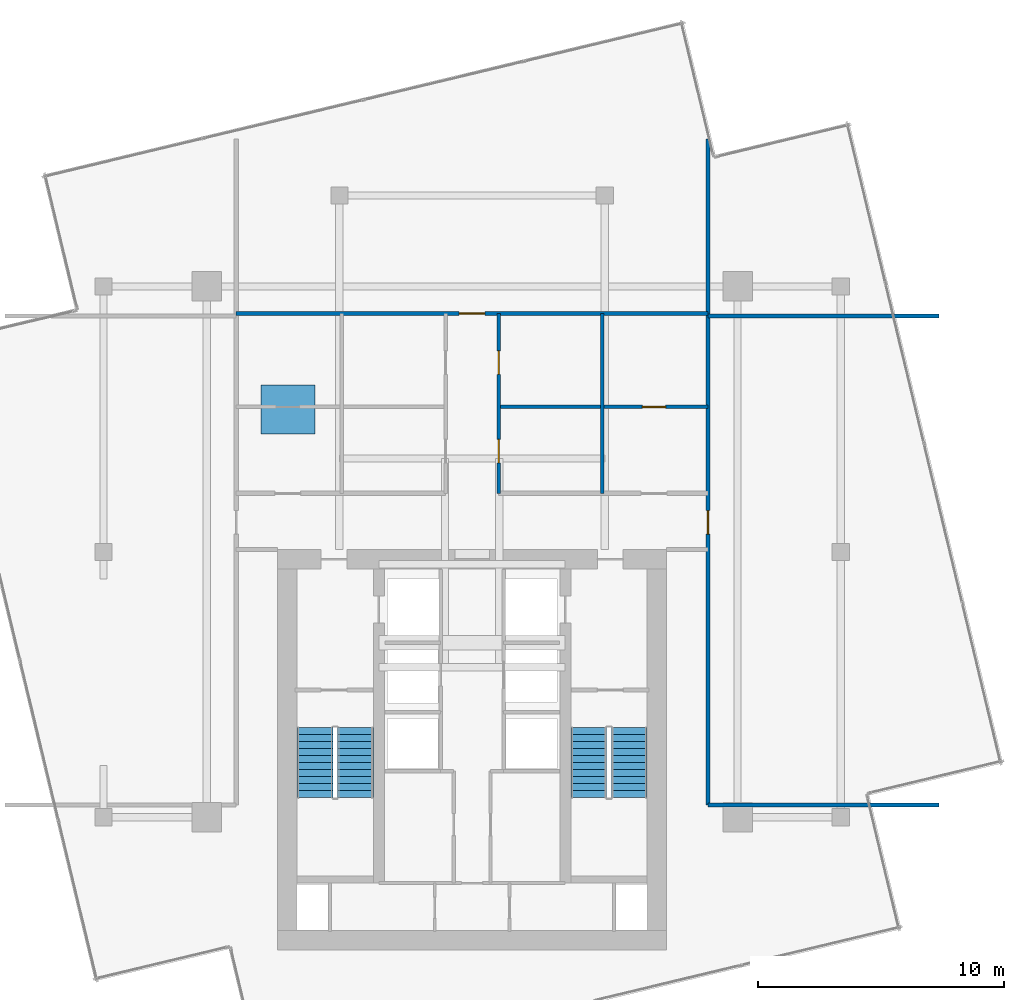
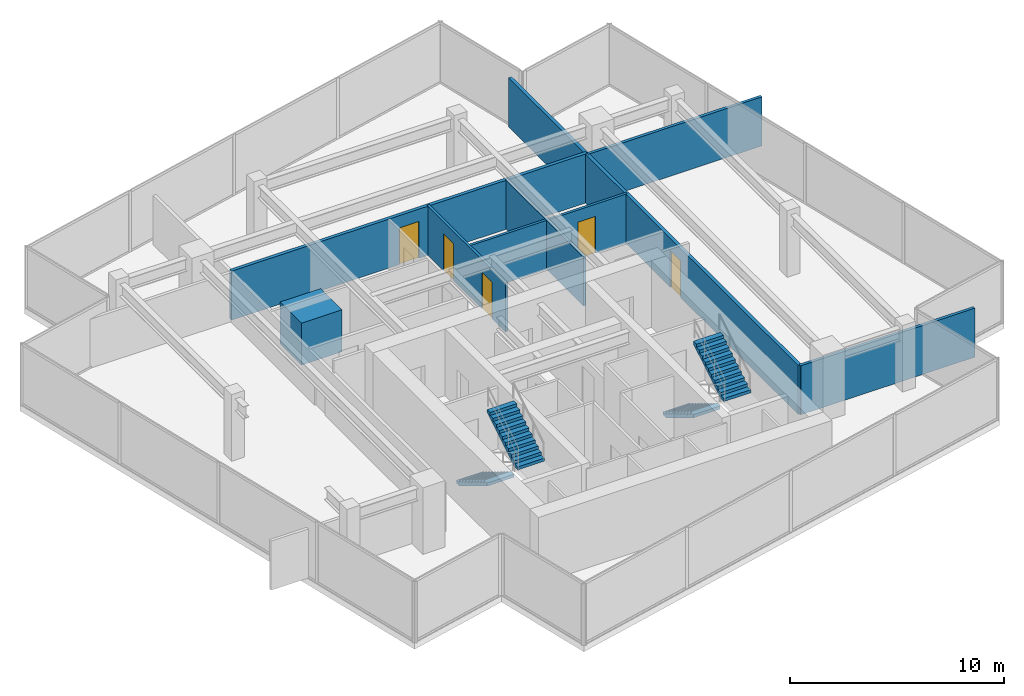
# One storey, part 18 of 19: 7 walls, 5 doors, 4 stair flights, 1 discrete accessory, 5 openings, 2 elements without a shape of their own.
"""IFC4 building model written with IfcOpenShell, lengths in metres."""

from ifc_helpers import new_model, si_unit, direction, frame, frame_2d, origin, origin_2d, place, context, subcontext, project, spatial, polyline, rectangle, outline, extrude, source, transform, mapped, material, layer, layer_set, type_object, type_shapes, element, fill, aggregate, save


model = new_model("IFC4")

# Units and contexts
model_context = context("Model", 3, precision=1e-05, world=origin(), true_north=direction((0.0, 1.0)))
body_context = subcontext(model_context, "Body", "Model", "MODEL_VIEW")
ifc_project = project(units=[si_unit("LENGTHUNIT", "METRE"), si_unit("AREAUNIT", "SQUARE_METRE"), si_unit("VOLUMEUNIT", "CUBIC_METRE"), si_unit("PLANEANGLEUNIT", "RADIAN"), si_unit("MASSUNIT", "GRAM", prefix="KILO")], contexts=[model_context])

# Site, building, storey
site_placement = place(None, origin())
site = spatial("IfcSite", under=ifc_project, at=site_placement, CompositionType="ELEMENT")
building_placement = place(site_placement, origin())
building = spatial("IfcBuilding", under=site, at=building_placement, Name="Krantzveldt Concourse Tower", CompositionType="ELEMENT")
storey_placement = place(building_placement, frame((0.0, 0.0, 363.25)))
storey = spatial("IfcBuildingStorey", under=building, at=storey_placement, Name="L89", CompositionType="ELEMENT", Elevation=363.25)

# Wall, openings, doors
ifc_material_1 = material(Name="Fire-rated gypsum plasterboard on steel stud", Category="steel")
ifc_layer_1 = layer(ifc_material_1, 0.139892578125, Name="Fire-rated gypsum plasterboard on steel stud", Category="steel")
ifc_layer_set_1 = layer_set([ifc_layer_1], Name="Fire-rated gypsum plasterboard on steel stud (WL-PART-FR140)")
wall_type_1 = type_object("IfcWallType", Name="WL-PART-FR140", PredefinedType="PARTITIONING", material=ifc_layer_set_1)
wall_1_placement = place(storey_placement, frame((37.080078125, 29.080078125, 0.0), z_axis=(0.0, 0.0, 1.0), x_axis=(0.0, 1.0, 0.0)))
wall_1 = element("IfcWall", 1, at=wall_1_placement, inside=storey, type_object=wall_type_1, Name="WP-L89-SPR", PredefinedType="PARTITIONING", context=body_context, shape_type="SweptSolid", body=[
    extrude(rectangle(XDim=7.31982421875, YDim=0.139892578125, at=frame_2d((3.659912109375, 0.0))), origin(), (0.0, 0.0, 1.0), 2.800048828125),
])
opening_1_placement = place(wall_1_placement, frame((1.2451171875, 0.0, 0.0)))
opening_1 = element("IfcOpeningElement", 2, at=opening_1_placement, cuts=wall_1, Name="Opening D-FD695", PredefinedType="OPENING", context=body_context, shape_type="SweptSolid", body=[
    extrude(rectangle(XDim=0.949951171875, YDim=2.10009765625, at=frame_2d((0.47509765625, 1.050048828125))), frame((0.0, 0.080078125, 0.0), z_axis=(0.0, -1.0, 0.0), x_axis=(1.0, 0.0, 0.0)), (0.0, 0.0, 1.0), 0.159912109375),
])
opening_2_placement = place(wall_1_placement, frame((4.844970703125, 0.0, 0.0)))
opening_2 = element("IfcOpeningElement", 3, at=opening_2_placement, cuts=wall_1, Name="Opening D-FD695", PredefinedType="OPENING", context=body_context, shape_type="SweptSolid", body=[
    extrude(rectangle(XDim=0.949951171875, YDim=2.10009765625, at=frame_2d((0.47509765625, 1.050048828125))), frame((0.0, 0.080078125, 0.0), z_axis=(0.0, -1.0, 0.0), x_axis=(1.0, 0.0, 0.0)), (0.0, 0.0, 1.0), 0.159912109375),
])
ifc_material_2 = material(Name="Hardwood timber", Category="wood")
door_type_1 = type_object("IfcDoorType", Name="DR-FD60-950", OperationType="SINGLE_SWING_LEFT", PredefinedType="DOOR", material=ifc_material_2)
door_1_placement = place(opening_1_placement, origin())
door_1 = element("IfcDoor", 4, at=door_1_placement, inside=storey, type_object=door_type_1, Name="DR-L89-LMOT1", OperationType="SINGLE_SWING_RIGHT", OverallHeight=2.10009765625, OverallWidth=0.949951171875, PredefinedType="DOOR", context=body_context, shape_type="SweptSolid", body=[
    extrude(rectangle(XDim=0.949951171875, YDim=2.10009765625, at=frame_2d((0.47509765625, 1.050048828125))), frame((0.0, 0.02490234375, 0.0), z_axis=(0.0, -1.0, 0.0), x_axis=(1.0, 0.0, 0.0)), (0.0, 0.0, 1.0), 0.050048828125),
])
fill(opening_1, door_1)
door_2_placement = place(opening_2_placement, origin())
door_2 = element("IfcDoor", 5, at=door_2_placement, inside=storey, type_object=door_type_1, Name="DR-L89-LMOT2", OperationType="SINGLE_SWING_LEFT", OverallHeight=2.10009765625, OverallWidth=0.949951171875, PredefinedType="DOOR", context=body_context, shape_type="SweptSolid", body=[
    extrude(rectangle(XDim=0.949951171875, YDim=2.10009765625, at=frame_2d((0.47509765625, 1.050048828125))), frame((0.0, 0.02490234375, 0.0), z_axis=(0.0, -1.0, 0.0), x_axis=(1.0, 0.0, 0.0)), (0.0, 0.0, 1.0), 0.050048828125),
])
fill(opening_2, door_2)

# Wall
wall_2_placement = place(storey_placement, frame((41.300048828125, 29.080078125, 0.0), z_axis=(0.0, 0.0, 1.0), x_axis=(0.0, 1.0, 0.0)))
element("IfcWall", 6, at=wall_2_placement, inside=storey, type_object=wall_type_1, Name="WP-L89-D2", PredefinedType="PARTITIONING", context=body_context, shape_type="SweptSolid", body=[
    extrude(rectangle(XDim=7.31982421875, YDim=0.139892578125, at=frame_2d((3.659912109375, 0.0))), origin(), (0.0, 0.0, 1.0), 2.800048828125),
])

# Wall, opening, door
wall_3_placement = place(storey_placement, frame((37.080078125, 32.60009765625, 0.0), z_axis=(0.0, 0.0, 1.0), x_axis=(1.0, 0.0, 0.0)))
wall_3 = element("IfcWall", 7, at=wall_3_placement, inside=storey, type_object=wall_type_1, Name="WP-L89-HZR", PredefinedType="PARTITIONING", context=body_context, shape_type="SweptSolid", body=[
    extrude(rectangle(XDim=8.52001953125, YDim=0.139892578125, at=frame_2d((4.260009765625, 0.0))), origin(), (0.0, 0.0, 1.0), 2.800048828125),
])
opening_3_placement = place(wall_3_placement, frame((5.844970703125, 0.0, 0.0)))
opening_3 = element("IfcOpeningElement", 8, at=opening_3_placement, cuts=wall_3, Name="Opening D-FD695", PredefinedType="OPENING", context=body_context, shape_type="SweptSolid", body=[
    extrude(rectangle(XDim=0.949951171875, YDim=2.10009765625, at=frame_2d((0.47509765625, 1.050048828125))), frame((0.0, 0.080078125, 0.0), z_axis=(0.0, -1.0, 0.0), x_axis=(1.0, 0.0, 0.0)), (0.0, 0.0, 1.0), 0.159912109375),
])
door_3_placement = place(opening_3_placement, origin())
door_3 = element("IfcDoor", 9, at=door_3_placement, inside=storey, type_object=door_type_1, Name="DR-L89-FAN89", OperationType="SINGLE_SWING_RIGHT", OverallHeight=2.10009765625, OverallWidth=0.949951171875, PredefinedType="DOOR", context=body_context, shape_type="SweptSolid", body=[
    extrude(rectangle(XDim=0.949951171875, YDim=2.10009765625, at=frame_2d((0.47509765625, 1.050048828125))), frame((0.0, 0.02490234375, 0.0), z_axis=(0.0, -1.0, 0.0), x_axis=(1.0, 0.0, 0.0)), (0.0, 0.0, 1.0), 0.050048828125),
])
fill(opening_3, door_3)

# Walls
ifc_layer_2 = layer(ifc_material_1, 0.159912109375, Name="Fire-rated gypsum plasterboard on steel stud", Category="steel")
ifc_layer_set_2 = layer_set([ifc_layer_2], Name="Fire-rated gypsum plasterboard on steel stud (WL-PART-FR160)")
wall_type_2 = type_object("IfcWallType", Name="WL-PART-FR160", PredefinedType="PARTITIONING", material=ifc_layer_set_2)
for number, where, z_axis, x_axis, name in (
    (10, (45.60009765625, 16.39990234375, 0.0), (0.0, 0.0, 1.0), (1.0, 0.0, 0.0), "WP-L89-RES"),
    (11, (45.60009765625, 36.300048828125, 0.0), (0.0, 0.0, 1.0), (1.0, 0.0, 0.0), "WP-L89-REN"),
):
    element("IfcWall", number, at=place(storey_placement, frame(where, z_axis=z_axis, x_axis=x_axis)), inside=storey, type_object=wall_type_2, Name=name, PredefinedType="PARTITIONING", context=body_context, shape_type="SweptSolid", body=[
        extrude(rectangle(XDim=9.39990234375, YDim=0.159912109375, at=frame_2d((4.699951171875, 0.0))), origin(), (0.0, 0.0, 1.0), 2.800048828125),
    ])

# Wall, opening, door
ifc_layer_3 = layer(ifc_material_1, 0.179931640625, Name="Fire-rated gypsum plasterboard on steel stud", Category="steel")
ifc_layer_set_3 = layer_set([ifc_layer_3], Name="Fire-rated gypsum plasterboard on steel stud (WL-PART-FR180)")
wall_type_3 = type_object("IfcWallType", Name="WL-PART-FR180", PredefinedType="PARTITIONING", material=ifc_layer_set_3)
wall_4_placement = place(storey_placement, frame((45.60009765625, 16.39990234375, 0.0), z_axis=(0.0, 0.0, 1.0), x_axis=(0.0, 1.0, 0.0)))
wall_4 = element("IfcWall", 12, at=wall_4_placement, inside=storey, type_object=wall_type_3, Name="WP-L89-E1", PredefinedType="PARTITIONING", context=body_context, shape_type="SweptSolid", body=[
    extrude(rectangle(XDim=27.10009765625, YDim=0.179931640625, at=frame_2d((13.550048828125, 0.0))), origin(), (0.0, 0.0, 1.0), 2.800048828125),
])
opening_4_placement = place(wall_4_placement, frame((11.02490234375, 0.0, 0.0)))
opening_4 = element("IfcOpeningElement", 13, at=opening_4_placement, cuts=wall_4, Name="Opening D-FD095", PredefinedType="OPENING", context=body_context, shape_type="SweptSolid", body=[
    extrude(rectangle(XDim=0.949951171875, YDim=2.10009765625, at=frame_2d((0.47509765625, 1.050048828125))), frame((0.0, 0.10009765625, 0.0), z_axis=(0.0, -1.0, 0.0), x_axis=(1.0, 0.0, 0.0)), (0.0, 0.0, 1.0), 0.199951171875),
])
ifc_material_3 = material(Name="Galvanised steel", Category="steel")
door_type_2 = type_object("IfcDoorType", Name="DR-FD120-950", OperationType="SINGLE_SWING_LEFT", PredefinedType="DOOR", material=ifc_material_3)
door_4_placement = place(opening_4_placement, origin())
door_4 = element("IfcDoor", 14, at=door_4_placement, inside=storey, type_object=door_type_2, Name="DR-L89-RF89E", OperationType="SINGLE_SWING_RIGHT", OverallHeight=2.10009765625, OverallWidth=0.949951171875, PredefinedType="DOOR", context=body_context, shape_type="SweptSolid", body=[
    extrude(rectangle(XDim=0.949951171875, YDim=2.10009765625, at=frame_2d((0.47509765625, 1.050048828125))), frame((0.0, 0.02490234375, 0.0), z_axis=(0.0, -1.0, 0.0), x_axis=(1.0, 0.0, 0.0)), (0.0, 0.0, 1.0), 0.050048828125),
])
fill(opening_4, door_4)

wall_5_placement = place(storey_placement, frame((26.39990234375, 36.39990234375, 0.0), z_axis=(0.0, 0.0, 1.0), x_axis=(1.0, 0.0, 0.0)))
wall_5 = element("IfcWall", 15, at=wall_5_placement, inside=storey, type_object=wall_type_3, Name="WP-L89-NT", PredefinedType="PARTITIONING", context=body_context, shape_type="SweptSolid", body=[
    extrude(rectangle(XDim=19.2001953125, YDim=0.179931640625, at=frame_2d((9.60009765625, 0.0))), origin(), (0.0, 0.0, 1.0), 2.800048828125),
])
opening_5_placement = place(wall_5_placement, frame((9.074951171875, 0.0, 0.0)))
opening_5 = element("IfcOpeningElement", 16, at=opening_5_placement, cuts=wall_5, Name="Opening D-FD105", PredefinedType="OPENING", context=body_context, shape_type="SweptSolid", body=[
    extrude(rectangle(XDim=1.050048828125, YDim=2.10009765625, at=frame_2d((0.52490234375, 1.050048828125))), frame((0.0, 0.10009765625, 0.0), z_axis=(0.0, -1.0, 0.0), x_axis=(1.0, 0.0, 0.0)), (0.0, 0.0, 1.0), 0.199951171875),
])
door_type_3 = type_object("IfcDoorType", Name="DR-FD120-1050", OperationType="SINGLE_SWING_LEFT", PredefinedType="DOOR", material=ifc_material_3)
door_5_placement = place(opening_5_placement, origin())
door_5 = element("IfcDoor", 17, at=door_5_placement, inside=storey, type_object=door_type_3, Name="DR-L89-RF89N", OperationType="SINGLE_SWING_LEFT", OverallHeight=2.10009765625, OverallWidth=1.050048828125, PredefinedType="DOOR", context=body_context, shape_type="SweptSolid", body=[
    extrude(rectangle(XDim=1.050048828125, YDim=2.10009765625, at=frame_2d((0.52490234375, 1.050048828125))), frame((0.0, 0.02490234375, 0.0), z_axis=(0.0, -1.0, 0.0), x_axis=(1.0, 0.0, 0.0)), (0.0, 0.0, 1.0), 0.050048828125),
])
fill(opening_5, door_5)

# Stair, stair flights
ifc_material_4 = material(Name="Precast concrete C40/50", Category="concrete")
stair_type = type_object("IfcStairType", Name="STR-CORE-DOGLEG", PredefinedType="HALF_TURN_STAIR", material=ifc_material_4)
stair_1_placement = place(storey_placement, origin())
stair_1 = element("IfcStair", 18, at=stair_1_placement, inside=storey, type_object=stair_type, Name="L89 Protected Escape Stair ST-1", PredefinedType="HALF_TURN_STAIR")
stair_flight_type = type_object("IfcStairFlightType", Name="STF-CORE-1450", PredefinedType="STRAIGHT", material=ifc_material_4)
stair_flight_1_placement = place(storey_placement, frame((29.60498046875, 19.550048828125, 0.0), z_axis=(0.0, 0.0, 1.0), x_axis=(0.0, -1.0, 0.0)))
stair_flight_1 = element("IfcStairFlight", 19, at=stair_flight_1_placement, type_object=stair_flight_type, Name="ST-1 flight 1", NumberOfRisers=11, NumberOfTreads=10, PredefinedType="STRAIGHT", RiserHeight=0.172727273, TreadLength=0.285, context=body_context, shape_type="SweptSolid", body=[
    extrude(outline(polyline([(0.0, 0.0), (0.0, 0.172607421875), (0.284912109375, 0.172607421875), (0.284912109375, 0.345458984375), (0.570068359375, 0.345458984375), (0.570068359375, 0.51806640625), (0.85498046875, 0.51806640625), (0.85498046875, 0.69091796875), (1.139892578125, 0.69091796875), (1.139892578125, 0.863525390625), (1.425048828125, 0.863525390625), (1.425048828125, 1.036376953125), (1.7099609375, 1.036376953125), (1.7099609375, 1.208984375), (1.9951171875, 1.208984375), (1.9951171875, 1.3818359375), (2.280029296875, 1.3818359375), (2.280029296875, 1.554443359375), (2.56494140625, 1.554443359375), (2.56494140625, 1.727294921875), (2.85009765625, 1.727294921875), (2.85009765625, 1.89990234375), (2.85009765625, 1.552001953125), (0.289306640625, 0.0), (0.0, 0.0)])), frame((0.0, 0.72509765625, 0.0), z_axis=(0.0, -1.0, 0.0), x_axis=(1.0, 0.0, 0.0)), (0.0, 0.0, 1.0), 1.449951171875),
])
stair_flight_2_placement = place(storey_placement, frame((31.2548828125, 16.699951171875, 1.89990234375), z_axis=(0.0, 0.0, 1.0), x_axis=(0.0, 1.0, 0.0)))
stair_flight_2 = element("IfcStairFlight", 20, at=stair_flight_2_placement, type_object=stair_flight_type, Name="ST-1 flight 2", NumberOfRisers=11, NumberOfTreads=10, PredefinedType="STRAIGHT", RiserHeight=0.172727273, TreadLength=0.285, context=body_context, shape_type="SweptSolid", body=[
    extrude(outline(polyline([(0.0, 0.0), (0.0, 0.172607421875), (0.284912109375, 0.172607421875), (0.284912109375, 0.345458984375), (0.570068359375, 0.345458984375), (0.570068359375, 0.51806640625), (0.85498046875, 0.51806640625), (0.85498046875, 0.69091796875), (1.139892578125, 0.69091796875), (1.139892578125, 0.863525390625), (1.425048828125, 0.863525390625), (1.425048828125, 1.036376953125), (1.7099609375, 1.036376953125), (1.7099609375, 1.208984375), (1.9951171875, 1.208984375), (1.9951171875, 1.3818359375), (2.280029296875, 1.3818359375), (2.280029296875, 1.554443359375), (2.56494140625, 1.554443359375), (2.56494140625, 1.727294921875), (2.85009765625, 1.727294921875), (2.85009765625, 1.89990234375), (2.85009765625, 1.552001953125), (0.289306640625, 0.0), (0.0, 0.0)])), frame((0.0, 0.72509765625, 0.0), z_axis=(0.0, -1.0, 0.0), x_axis=(1.0, 0.0, 0.0)), (0.0, 0.0, 1.0), 1.449951171875),
])
aggregate(stair_1, [stair_flight_1, stair_flight_2])

stair_2_placement = place(storey_placement, origin())
stair_2 = element("IfcStair", 21, at=stair_2_placement, inside=storey, type_object=stair_type, Name="L89 Protected Escape Stair ST-2", PredefinedType="HALF_TURN_STAIR")
stair_flight_3_placement = place(storey_placement, frame((40.7451171875, 19.550048828125, 0.0), z_axis=(0.0, 0.0, 1.0), x_axis=(0.0, -1.0, 0.0)))
stair_flight_3 = element("IfcStairFlight", 22, at=stair_flight_3_placement, type_object=stair_flight_type, Name="ST-2 flight 1", NumberOfRisers=11, NumberOfTreads=10, PredefinedType="STRAIGHT", RiserHeight=0.172727273, TreadLength=0.285, context=body_context, shape_type="SweptSolid", body=[
    extrude(outline(polyline([(0.0, 0.0), (0.0, 0.172607421875), (0.284912109375, 0.172607421875), (0.284912109375, 0.345458984375), (0.570068359375, 0.345458984375), (0.570068359375, 0.51806640625), (0.85498046875, 0.51806640625), (0.85498046875, 0.69091796875), (1.139892578125, 0.69091796875), (1.139892578125, 0.863525390625), (1.425048828125, 0.863525390625), (1.425048828125, 1.036376953125), (1.7099609375, 1.036376953125), (1.7099609375, 1.208984375), (1.9951171875, 1.208984375), (1.9951171875, 1.3818359375), (2.280029296875, 1.3818359375), (2.280029296875, 1.554443359375), (2.56494140625, 1.554443359375), (2.56494140625, 1.727294921875), (2.85009765625, 1.727294921875), (2.85009765625, 1.89990234375), (2.85009765625, 1.552001953125), (0.289306640625, 0.0), (0.0, 0.0)])), frame((0.0, 0.72509765625, 0.0), z_axis=(0.0, -1.0, 0.0), x_axis=(1.0, 0.0, 0.0)), (0.0, 0.0, 1.0), 1.449951171875),
])
stair_flight_4_placement = place(storey_placement, frame((42.39501953125, 16.699951171875, 1.89990234375), z_axis=(0.0, 0.0, 1.0), x_axis=(0.0, 1.0, 0.0)))
stair_flight_4 = element("IfcStairFlight", 23, at=stair_flight_4_placement, type_object=stair_flight_type, Name="ST-2 flight 2", NumberOfRisers=11, NumberOfTreads=10, PredefinedType="STRAIGHT", RiserHeight=0.172727273, TreadLength=0.285, context=body_context, shape_type="SweptSolid", body=[
    extrude(outline(polyline([(0.0, 0.0), (0.0, 0.172607421875), (0.284912109375, 0.172607421875), (0.284912109375, 0.345458984375), (0.570068359375, 0.345458984375), (0.570068359375, 0.51806640625), (0.85498046875, 0.51806640625), (0.85498046875, 0.69091796875), (1.139892578125, 0.69091796875), (1.139892578125, 0.863525390625), (1.425048828125, 0.863525390625), (1.425048828125, 1.036376953125), (1.7099609375, 1.036376953125), (1.7099609375, 1.208984375), (1.9951171875, 1.208984375), (1.9951171875, 1.3818359375), (2.280029296875, 1.3818359375), (2.280029296875, 1.554443359375), (2.56494140625, 1.554443359375), (2.56494140625, 1.727294921875), (2.85009765625, 1.727294921875), (2.85009765625, 1.89990234375), (2.85009765625, 1.552001953125), (0.289306640625, 0.0), (0.0, 0.0)])), frame((0.0, 0.72509765625, 0.0), z_axis=(0.0, -1.0, 0.0), x_axis=(1.0, 0.0, 0.0)), (0.0, 0.0, 1.0), 1.449951171875),
])
aggregate(stair_2, [stair_flight_3, stair_flight_4])

# Discrete accessory
discrete_accessory_type = type_object("IfcDiscreteAccessoryType", Name="EQ-CHILLER-SKID", PredefinedType="USERDEFINED", material=ifc_material_3)
shared_shape = source(origin(), body_context, "Body", "SweptSolid", [
    extrude(rectangle(XDim=2.199951171875, YDim=2.0, at=origin_2d()), origin(), (0.0, 0.0, 1.0), 2.39990234375),
])
type_shapes(discrete_accessory_type, [shared_shape])
discrete_accessory_placement = place(storey_placement, frame((28.5, 32.5, 0.0), z_axis=(0.0, 0.0, 1.0), x_axis=(1.0, 0.0, 0.0)))
element("IfcDiscreteAccessory", 24, at=discrete_accessory_placement, inside=storey, type_object=discrete_accessory_type, Name="EQ-L89-CHL1", ObjectType="CHILLER SKID", PredefinedType="USERDEFINED", context=body_context, shape_type="MappedRepresentation", body=[
    mapped(shared_shape, transform((0.0, 0.0, 0.0), x_axis=(1.0, 0.0, 0.0), y_axis=(0.0, 1.0, 0.0), z_axis=(0.0, 0.0, 1.0), scale=1.0)),
])

save(model, "model.ifc")
